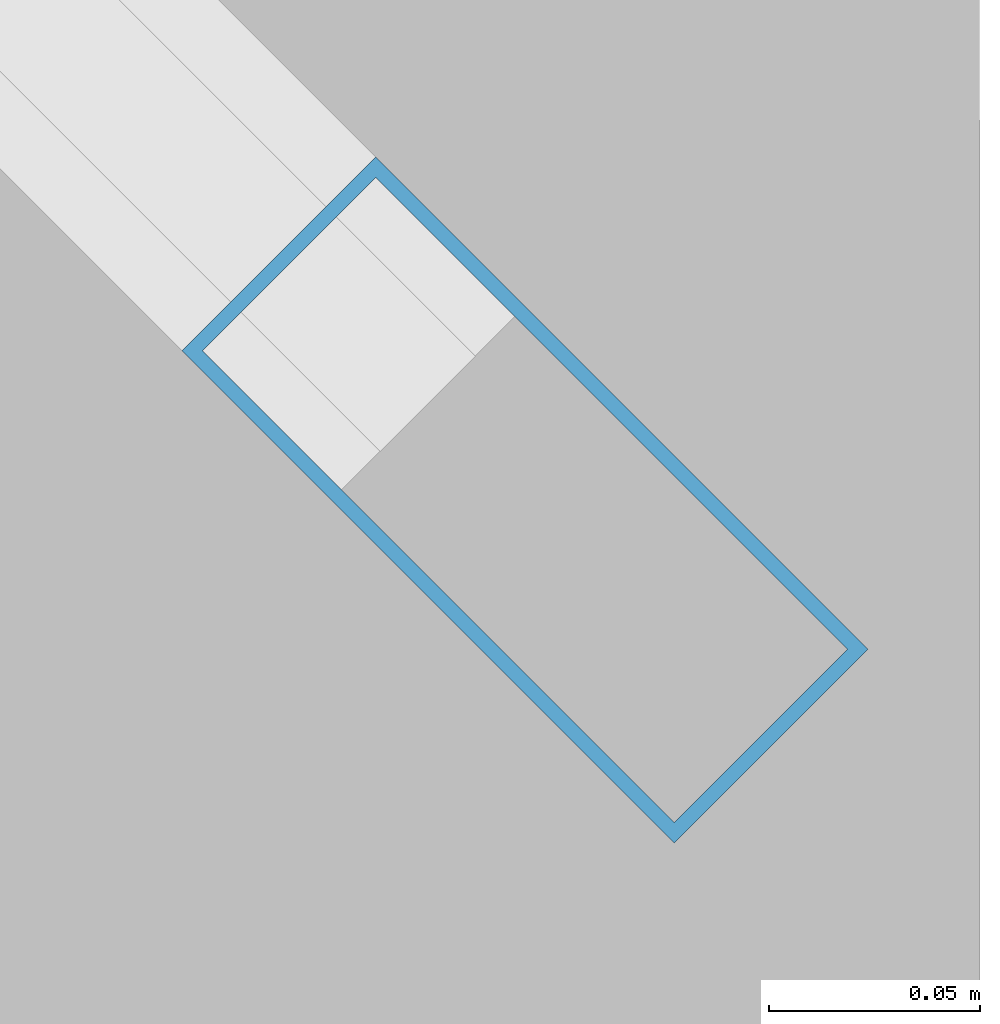
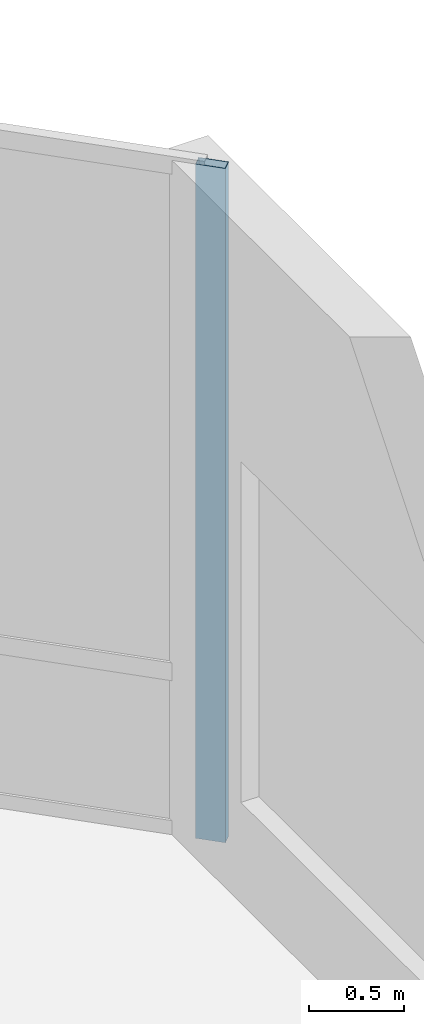
# One storey, part 12 of 20: 1 member, 1 element without a shape of its own.
"""IFC4 building model written with IfcOpenShell, lengths in metres."""

from ifc_helpers import new_model, si_unit, direction, frame, origin, origin_2d, place, context, subcontext, project, spatial, hollow_rectangle, extrude, material, layer, layer_set, material_profile, profile_set, type_object, element, aggregate, save


model = new_model("IFC4")

# Units and contexts
model_context = context("Model", 3, precision=1e-05, world=origin(), true_north=direction((0.0, 1.0)))
body_context = subcontext(model_context, "Body", "Model", "MODEL_VIEW")
ifc_project = project(units=[si_unit("LENGTHUNIT", "METRE"), si_unit("AREAUNIT", "SQUARE_METRE"), si_unit("VOLUMEUNIT", "CUBIC_METRE"), si_unit("PLANEANGLEUNIT", "RADIAN"), si_unit("MASSUNIT", "GRAM", prefix="KILO")], contexts=[model_context])

# Site, building, storey
site_placement = place(None, origin())
site = spatial("IfcSite", under=ifc_project, at=site_placement, CompositionType="ELEMENT")
building_placement = place(site_placement, origin())
building = spatial("IfcBuilding", under=site, at=building_placement, Name="Kestravale Grand Hotel", CompositionType="ELEMENT")
storey_placement = place(building_placement, frame((0.0, 0.0, 231.89990234375)))
storey = spatial("IfcBuildingStorey", under=building, at=storey_placement, Name="L58", CompositionType="ELEMENT", Elevation=231.89990234375)

# Curtain wall, member
ifc_material_1 = material(Name="Thermally broken champagne-bronze aluminium and low-E glazing", Category="aluminium")
ifc_layer = layer(ifc_material_1, 0.179931640625)
ifc_layer_set = layer_set([ifc_layer], Name="CW-Z3")
curtain_wall_type = type_object("IfcCurtainWallType", Name="CW-Z3", PredefinedType="NOTDEFINED", material=ifc_layer_set)
curtain_wall_placement = place(storey_placement, origin())
curtain_wall = element("IfcCurtainWall", 1, at=curtain_wall_placement, inside=storey, type_object=curtain_wall_type, Name="L58 unitised curtain wall 10", PredefinedType="NOTDEFINED")
ifc_material_2 = material(Name="Aluminium 6063-T6 anodised", Category="aluminium")
ifc_material_profile = material_profile(ifc_material_2, hollow_rectangle(XDim=0.06494140625, YDim=0.1650390625, WallThickness=0.00341796875, at=origin_2d()))
ifc_profile_set = profile_set([ifc_material_profile], Name="Aluminium 6063-T6 anodised")
member_type = type_object("IfcMemberType", Name="CW-MUL-165", PredefinedType="MULLION", material=ifc_profile_set)
member_placement = place(storey_placement, frame((71.4921875, 43.60986328125, 0.0), z_axis=(0.0, 0.0, 1.0), x_axis=(-0.707106781187, -0.707106781187, 0.0)))
member = element("IfcMember", 2, at=member_placement, type_object=member_type, Name="CW-Z3 mullion 1", PredefinedType="MULLION", context=body_context, shape_type="SweptSolid", body=[
    extrude(hollow_rectangle(XDim=0.06494140625, YDim=0.1650390625, WallThickness=0.00341796875, at=origin_2d()), origin(), (0.0, 0.0, 1.0), 4.35009765625),
])
aggregate(curtain_wall, [member])

save(model, "model.ifc")
